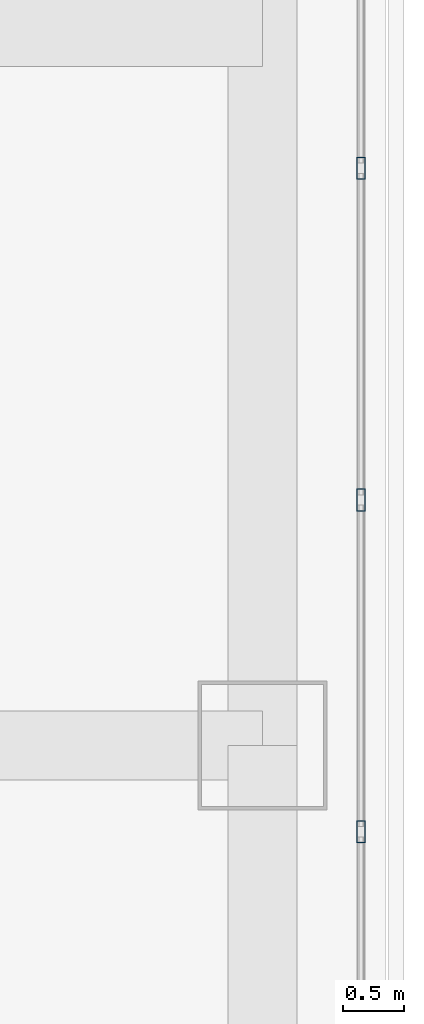
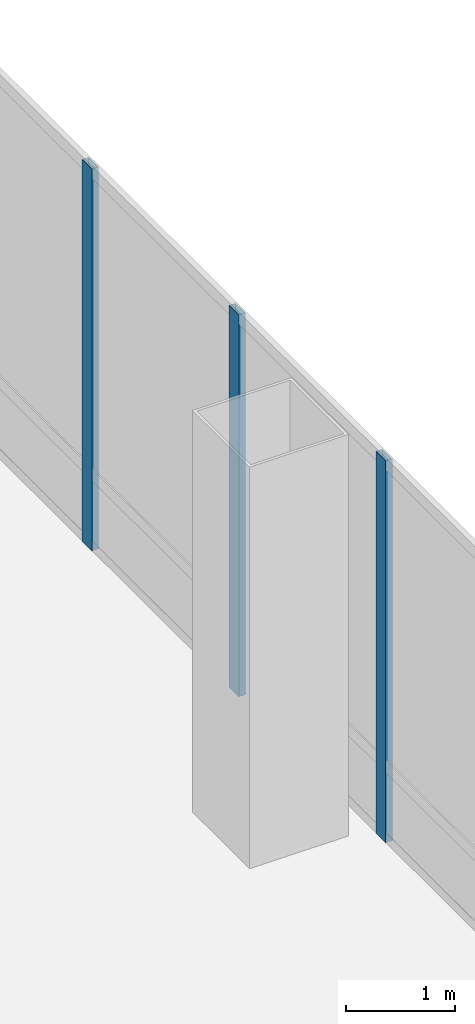
# One storey, part 18 of 33: 3 members, 1 element without a shape of its own.
"""IFC4 building model written with IfcOpenShell, lengths in metres."""

from ifc_helpers import new_model, si_unit, direction, frame, origin, origin_2d, place, context, subcontext, project, spatial, hollow_rectangle, extrude, material, material_profile, profile_set, type_object, element, aggregate, save


model = new_model("IFC4")

# Units and contexts
model_context = context("Model", 3, precision=1e-05, world=origin(), true_north=direction((0.0, 1.0)))
body_context = subcontext(model_context, "Body", "Model", "MODEL_VIEW")
ifc_project = project(units=[si_unit("LENGTHUNIT", "METRE"), si_unit("AREAUNIT", "SQUARE_METRE"), si_unit("VOLUMEUNIT", "CUBIC_METRE"), si_unit("PLANEANGLEUNIT", "RADIAN"), si_unit("MASSUNIT", "GRAM", prefix="KILO")], contexts=[model_context])

# Site, building, storey
site_placement = place(None, origin())
site = spatial("IfcSite", under=ifc_project, at=site_placement, CompositionType="ELEMENT")
building_placement = place(site_placement, origin())
building = spatial("IfcBuilding", under=site, at=building_placement, Name="Punatoya Terracotta Tower", CompositionType="ELEMENT")
storey_placement = place(building_placement, frame((0.0, 0.0, 343.800048828125)))
storey = spatial("IfcBuildingStorey", under=building, at=storey_placement, Name="L81", CompositionType="ELEMENT", Elevation=343.800048828125)

# Curtain wall, members
ifc_material_1 = material(Name="Aluminium 6063-T6 + Double Low-E Glass", Category="aluminium")
curtain_wall_type = type_object("IfcCurtainWallType", Name="CW-CRN", PredefinedType="NOTDEFINED", material=ifc_material_1)
curtain_wall_placement = place(storey_placement, origin())
curtain_wall = element("IfcCurtainWall", 1, at=curtain_wall_placement, inside=storey, type_object=curtain_wall_type, Name="L81 Curtain Wall CW-L81-E05-1", PredefinedType="NOTDEFINED")
ifc_material_2 = material(Name="Aluminium 6063-T6", Category="aluminium")
ifc_material_profile = material_profile(ifc_material_2, hollow_rectangle(XDim=0.070068359375, YDim=0.179931640625, WallThickness=0.00390625, at=origin_2d()))
ifc_profile_set = profile_set([ifc_material_profile], Name="Aluminium 6063-T6")
member_type = type_object("IfcMemberType", Name="CW-MUL-M3", PredefinedType="MULLION", material=ifc_profile_set)
member_1_placement = place(storey_placement, frame((19.89990234375, 2.69775390625, 0.0), z_axis=(0.0, 0.0, 1.0), x_axis=(1.0, 0.0, 0.0)))
member_1 = element("IfcMember", 2, at=member_1_placement, type_object=member_type, Name="CW-L81-E05-1 Mullion 07", PredefinedType="MULLION", context=body_context, shape_type="SweptSolid", body=[
    extrude(hollow_rectangle(XDim=0.070068359375, YDim=0.179931640625, WallThickness=0.00390625, at=origin_2d()), origin(), (0.0, 0.0, 1.0), 4.280029296875),
])
member_2_placement = place(storey_placement, frame((19.89990234375, 5.3955078125, 0.0), z_axis=(0.0, 0.0, 1.0), x_axis=(1.0, 0.0, 0.0)))
member_2 = element("IfcMember", 3, at=member_2_placement, type_object=member_type, Name="CW-L81-E05-1 Mullion 08", PredefinedType="MULLION", context=body_context, shape_type="SweptSolid", body=[
    extrude(hollow_rectangle(XDim=0.070068359375, YDim=0.179931640625, WallThickness=0.00390625, at=origin_2d()), origin(), (0.0, 0.0, 1.0), 4.280029296875),
])
member_3_placement = place(storey_placement, frame((19.89990234375, 8.093505859375, 0.0), z_axis=(0.0, 0.0, 1.0), x_axis=(1.0, 0.0, 0.0)))
member_3 = element("IfcMember", 4, at=member_3_placement, type_object=member_type, Name="CW-L81-E05-1 Mullion 09", PredefinedType="MULLION", context=body_context, shape_type="SweptSolid", body=[
    extrude(hollow_rectangle(XDim=0.070068359375, YDim=0.179931640625, WallThickness=0.00390625, at=origin_2d()), origin(), (0.0, 0.0, 1.0), 4.280029296875),
])
aggregate(curtain_wall, [member_1, member_2, member_3])

save(model, "model.ifc")
